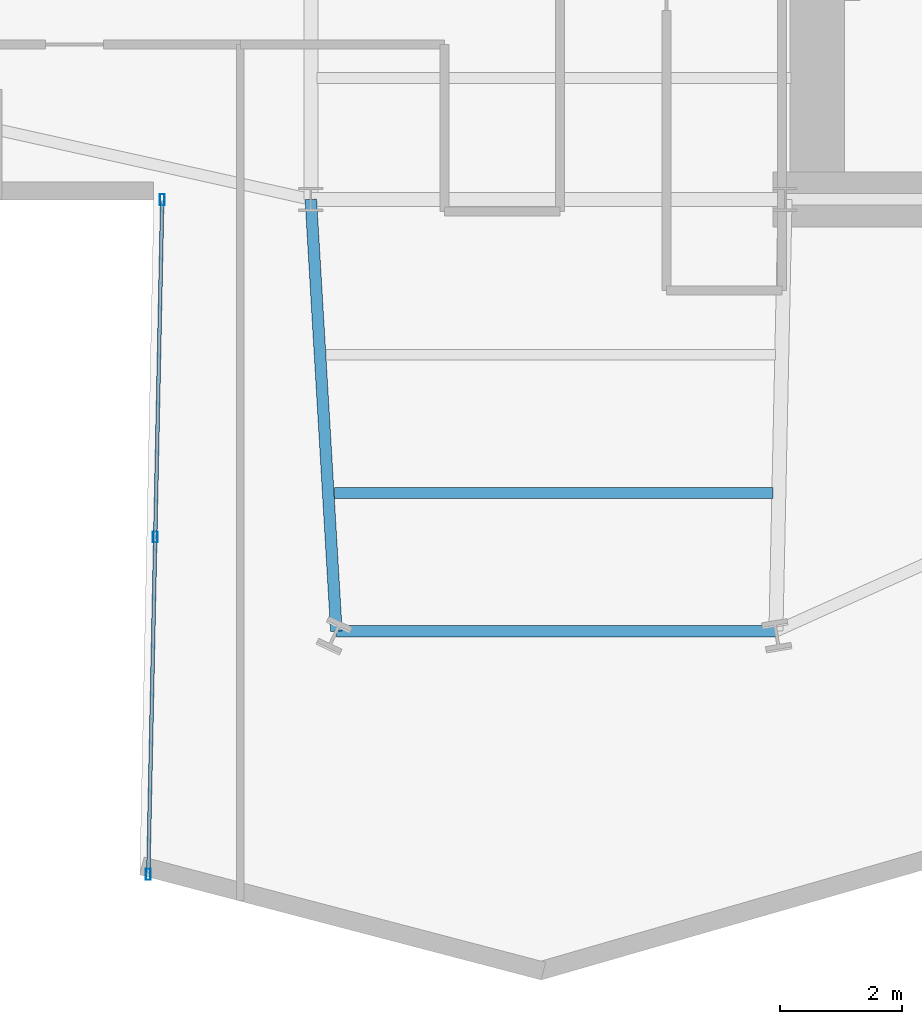
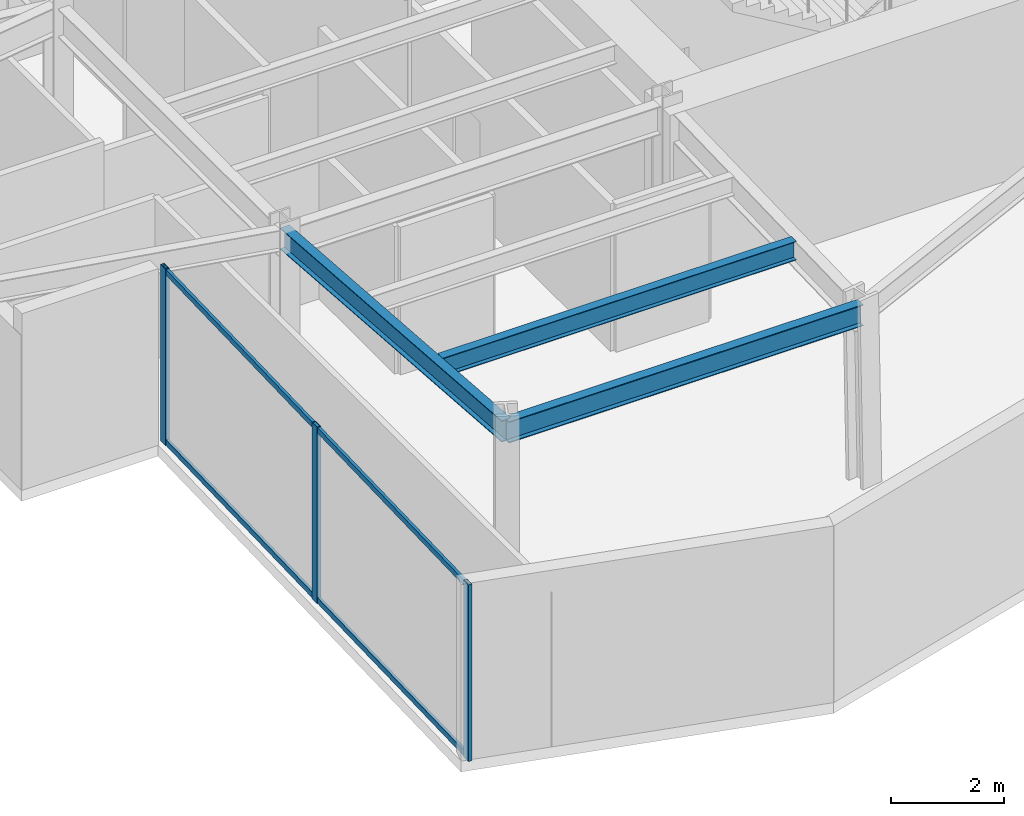
# One storey, part 4 of 24: 5 members, 3 beams, 1 element without a shape of its own.
"""IFC4 building model written with IfcOpenShell, lengths in metres."""

from ifc_helpers import new_model, si_unit, direction, frame, origin, origin_2d, place, context, subcontext, project, spatial, hollow_rectangle, i_section, extrude, material, layer, layer_set, material_profile, profile_set, type_object, element, aggregate, save


model = new_model("IFC4")

# Units and contexts
model_context = context("Model", 3, precision=1e-05, world=origin(), true_north=direction((0.0, 1.0)))
body_context = subcontext(model_context, "Body", "Model", "MODEL_VIEW")
ifc_project = project(units=[si_unit("LENGTHUNIT", "METRE"), si_unit("AREAUNIT", "SQUARE_METRE"), si_unit("VOLUMEUNIT", "CUBIC_METRE"), si_unit("PLANEANGLEUNIT", "RADIAN"), si_unit("MASSUNIT", "GRAM", prefix="KILO")], contexts=[model_context])

# Site, building, storey
site_placement = place(None, origin())
site = spatial("IfcSite", under=ifc_project, at=site_placement, CompositionType="ELEMENT")
building_placement = place(site_placement, origin())
building = spatial("IfcBuilding", under=site, at=building_placement, Name="Veymaron Broadcast Tower", CompositionType="ELEMENT")
storey_placement = place(building_placement, frame((0.0, 0.0, 98.550048828125)))
storey = spatial("IfcBuildingStorey", under=building, at=storey_placement, Name="L22", CompositionType="ELEMENT", Elevation=98.550048828125)

# Beams
ifc_material_1 = material(Name="Structural steel ASTM A992 Gr 50", Category="steel")
ifc_material_profile_1 = material_profile(ifc_material_1, i_section(OverallWidth=0.177978515625, OverallDepth=0.406982421875, WebThickness=0.0078125, FlangeThickness=0.0126953125, at=origin_2d()), Name="W410X60")
ifc_profile_set_1 = profile_set([ifc_material_profile_1], Name="Structural steel ASTM A992 Gr 50")
beam_type_1 = type_object("IfcBeamType", Name="BM-JS1", PredefinedType="JOIST", material=ifc_profile_set_1)
beam_1_placement = place(storey_placement, frame((31.585693359375, 11.172119140625, 3.6064453125), z_axis=(1.0, 0.0, 0.0), x_axis=(0.0, 1.0, 0.0)))
element("IfcBeam", 1, at=beam_1_placement, inside=storey, type_object=beam_type_1, Name="L22 Arm-C secondary joist 2", PredefinedType="JOIST", context=body_context, shape_type="SweptSolid", body=[
    extrude(i_section(OverallWidth=0.177978515625, OverallDepth=0.406982421875, WebThickness=0.0078125, FlangeThickness=0.0126953125, at=origin_2d()), origin(), (0.0, 0.0, 1.0), 7.21240234375),
])
ifc_material_profile_2 = material_profile(ifc_material_1, i_section(OverallWidth=0.19091796875, OverallDepth=0.4599609375, WebThickness=0.010009765625, FlangeThickness=0.01611328125, at=origin_2d()), Name="W460X82")
ifc_profile_set_2 = profile_set([ifc_material_profile_2], Name="Structural steel ASTM A992 Gr 50")
beam_type_2 = type_object("IfcBeamType", Name="BM-SP1", PredefinedType="SPANDREL", material=ifc_profile_set_2)
beam_2_placement = place(storey_placement, frame((31.199951171875, 16.0, 3.579833984375), z_axis=(0.059074150373, -0.998253597418, 0.0), x_axis=(0.998253597418, 0.059074150373, 0.0)))
element("IfcBeam", 2, at=beam_2_placement, inside=storey, type_object=beam_type_2, Name="L22 primary structural floor girder", PredefinedType="SPANDREL", context=body_context, shape_type="SweptSolid", body=[
    extrude(i_section(OverallWidth=0.19091796875, OverallDepth=0.4599609375, WebThickness=0.010009765625, FlangeThickness=0.01611328125, at=origin_2d()), origin(), (0.0, 0.0, 1.0), 7.112548828125),
])
beam_3_placement = place(storey_placement, frame((31.6201171875, 8.89990234375, 3.579833984375), z_axis=(1.0, 0.0, 0.0), x_axis=(0.0, 1.0, 0.0)))
element("IfcBeam", 3, at=beam_3_placement, inside=storey, type_object=beam_type_2, Name="L22 primary structural floor girder", PredefinedType="SPANDREL", context=body_context, shape_type="SweptSolid", body=[
    extrude(i_section(OverallWidth=0.19091796875, OverallDepth=0.4599609375, WebThickness=0.010009765625, FlangeThickness=0.01611328125, at=origin_2d()), origin(), (0.0, 0.0, 1.0), 7.22998046875),
])

# Curtain wall, members
ifc_material_2 = material(Name="Anodised aluminium AA 6063-T6 and laminated low-E dark glass", Category="aluminium")
ifc_layer = layer(ifc_material_2, 0.179931640625)
ifc_layer_set = layer_set([ifc_layer], Name="Anodised aluminium AA 6063-T6 and laminated low-E dark glass")
curtain_wall_type = type_object("IfcCurtainWallType", Name="CW-SYS-02", PredefinedType="NOTDEFINED", material=ifc_layer_set)
curtain_wall_placement = place(storey_placement, origin())
curtain_wall = element("IfcCurtainWall", 4, at=curtain_wall_placement, inside=storey, type_object=curtain_wall_type, Name="L22 dark-glass curtain wall CW-L22-E17-1", PredefinedType="NOTDEFINED")
ifc_material_3 = material(Name="Anodised aluminium AA 6063-T6", Category="aluminium")
ifc_material_profile_3 = material_profile(ifc_material_3, hollow_rectangle(XDim=0.074951171875, YDim=0.179931640625, WallThickness=0.0048828125, at=origin_2d()), Name="AL180X75X5")
ifc_profile_set_3 = profile_set([ifc_material_profile_3], Name="Anodised aluminium AA 6063-T6")
member_type_1 = type_object("IfcMemberType", Name="CW-MUL-02", PredefinedType="MULLION", material=ifc_profile_set_3)
member_1_placement = place(storey_placement, frame((28.755615234375, 15.9970703125, 0.0), z_axis=(0.0, 0.0, 1.0), x_axis=(1.0, 0.0, 0.0)))
member_1 = element("IfcMember", 5, at=member_1_placement, type_object=member_type_1, Name="CW-L22-E17-1 mullion 0", PredefinedType="MULLION", context=body_context, shape_type="SweptSolid", body=[
    extrude(hollow_rectangle(XDim=0.074951171875, YDim=0.179931640625, WallThickness=0.0048828125, at=origin_2d()), origin(), (0.0, 0.0, 1.0), 3.81005859375),
])
member_2_placement = place(storey_placement, frame((28.640869140625, 10.447509765625, 0.0), z_axis=(0.0, 0.0, 1.0), x_axis=(1.0, 0.0, 0.0)))
member_2 = element("IfcMember", 6, at=member_2_placement, type_object=member_type_1, Name="CW-L22-E17-1 mullion 1", PredefinedType="MULLION", context=body_context, shape_type="SweptSolid", body=[
    extrude(hollow_rectangle(XDim=0.074951171875, YDim=0.179931640625, WallThickness=0.0048828125, at=origin_2d()), origin(), (0.0, 0.0, 1.0), 3.81005859375),
])
member_3_placement = place(storey_placement, frame((28.52587890625, 4.898193359375, 0.0), z_axis=(0.0, 0.0, 1.0), x_axis=(1.0, 0.0, 0.0)))
member_3 = element("IfcMember", 7, at=member_3_placement, type_object=member_type_1, Name="CW-L22-E17-1 mullion 2", PredefinedType="MULLION", context=body_context, shape_type="SweptSolid", body=[
    extrude(hollow_rectangle(XDim=0.074951171875, YDim=0.179931640625, WallThickness=0.0048828125, at=origin_2d()), origin(), (0.0, 0.0, 1.0), 3.81005859375),
])
ifc_material_profile_4 = material_profile(ifc_material_3, hollow_rectangle(XDim=0.06005859375, YDim=0.1201171875, WallThickness=0.00390625, at=origin_2d()), Name="AL120X60X4")
ifc_profile_set_4 = profile_set([ifc_material_profile_4], Name="Anodised aluminium AA 6063-T6")
member_type_2 = type_object("IfcMemberType", Name="CW-TRN-02", PredefinedType="USERDEFINED", material=ifc_profile_set_4)
member_4_placement = place(storey_placement, frame((28.75439453125, 15.947021484375, 0.070068359375), z_axis=(-0.020660598316, -0.999786547058, 0.0), x_axis=(0.999786547058, -0.020660598316, 0.0)))
member_4 = element("IfcMember", 8, at=member_4_placement, type_object=member_type_2, Name="CW-L22-E17-1 transom B", ObjectType="TRANSOM", PredefinedType="USERDEFINED", context=body_context, shape_type="SweptSolid", body=[
    extrude(hollow_rectangle(XDim=0.06005859375, YDim=0.1201171875, WallThickness=0.00390625, at=origin_2d()), origin(), (0.0, 0.0, 1.0), 11.00146484375),
])
member_5_placement = place(storey_placement, frame((28.75439453125, 15.947021484375, 3.739990234375), z_axis=(-0.020660598316, -0.999786547058, 0.0), x_axis=(0.999786547058, -0.020660598316, 0.0)))
member_5 = element("IfcMember", 9, at=member_5_placement, type_object=member_type_2, Name="CW-L22-E17-1 transom T", ObjectType="TRANSOM", PredefinedType="USERDEFINED", context=body_context, shape_type="SweptSolid", body=[
    extrude(hollow_rectangle(XDim=0.06005859375, YDim=0.1201171875, WallThickness=0.00390625, at=origin_2d()), origin(), (0.0, 0.0, 1.0), 11.00146484375),
])
aggregate(curtain_wall, [member_1, member_2, member_3, member_4, member_5])

save(model, "model.ifc")
